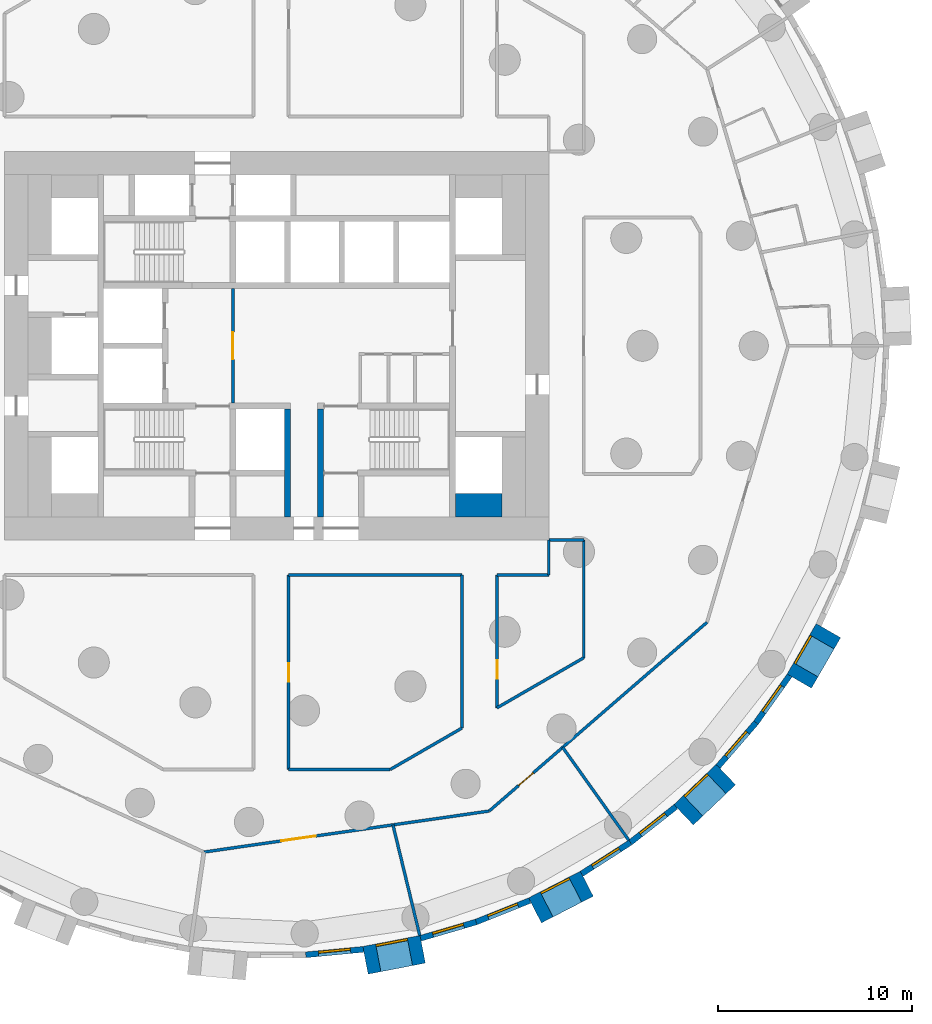
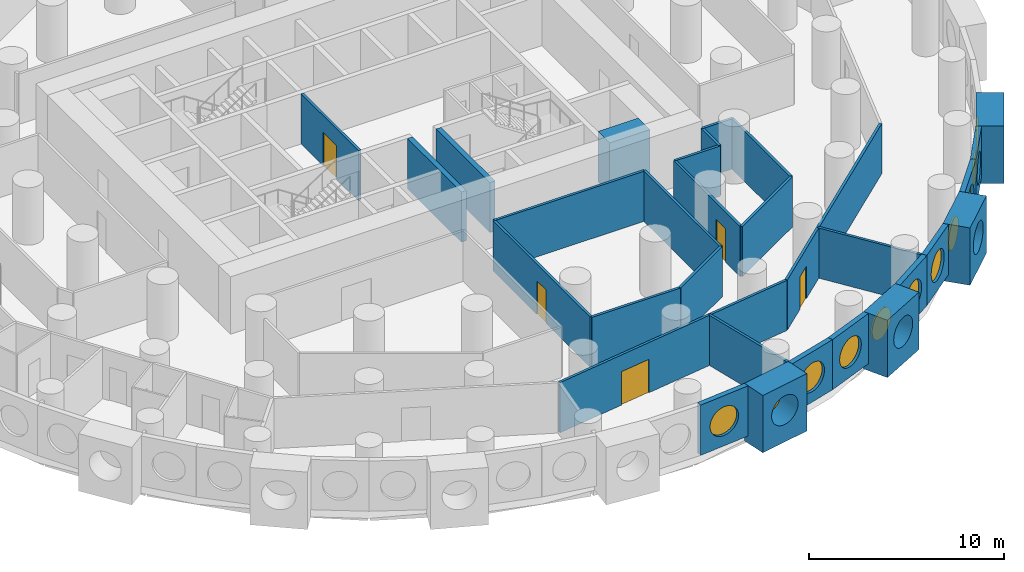
# One storey, part 5 of 12: 30 walls, 11 windows, 5 doors, 16 openings.
"""IFC4 building model written with IfcOpenShell, lengths in metres."""

from ifc_helpers import new_model, si_unit, direction, frame, frame_2d, origin, origin_2d, place, context, subcontext, project, spatial, rectangle, circle, extrude, material, layer, layer_set, type_object, element, fill, save


model = new_model("IFC4")

# Units and contexts
model_context = context("Model", 3, precision=1e-05, world=origin(), true_north=direction((0.0, 1.0)))
body_context = subcontext(model_context, "Body", "Model", "MODEL_VIEW")
ifc_project = project(units=[si_unit("LENGTHUNIT", "METRE"), si_unit("AREAUNIT", "SQUARE_METRE"), si_unit("VOLUMEUNIT", "CUBIC_METRE"), si_unit("PLANEANGLEUNIT", "RADIAN"), si_unit("MASSUNIT", "GRAM", prefix="KILO")], contexts=[model_context])

# Site, building, storey
site_placement = place(None, origin())
site = spatial("IfcSite", under=ifc_project, at=site_placement, CompositionType="ELEMENT")
building_placement = place(site_placement, origin())
building = spatial("IfcBuilding", under=site, at=building_placement, Name="Tracery Tower", CompositionType="ELEMENT")
storey_placement = place(building_placement, frame((0.0, 0.0, 31.800048828125)))
storey = spatial("IfcBuildingStorey", under=building, at=storey_placement, Name="L06", CompositionType="ELEMENT", Elevation=31.800048828125)

# Wall, opening, door
ifc_material_1 = material(Name="Plasterboard on steel studs", Category="steel")
ifc_layer_1 = layer(ifc_material_1, 0.14990234375)
ifc_layer_set_1 = layer_set([ifc_layer_1], Name="Core lobby partition 150")
wall_type_1 = type_object("IfcWallType", Name="Core lobby partition 150", PredefinedType="SOLIDWALL", material=ifc_layer_set_1)
wall_1_placement = place(storey_placement, frame((-2.25, -2.949951171875, 0.0), z_axis=(0.0, 0.0, 1.0), x_axis=(0.0, 1.0, 0.0)))
wall_1 = element("IfcWall", 1, at=wall_1_placement, inside=storey, type_object=wall_type_1, Name="L06 FF lobby E", PredefinedType="SOLIDWALL", context=body_context, shape_type="SweptSolid", body=[
    extrude(rectangle(XDim=5.89990234375, YDim=0.14990234375, at=frame_2d((2.949951171875, 0.0))), origin(), (0.0, 0.0, 1.0), 3.14990234375),
])
opening_1_placement = place(wall_1_placement, frame((2.25, 0.0, 0.0)))
opening_1 = element("IfcOpeningElement", 2, at=opening_1_placement, cuts=wall_1, Name="Opening KD8", PredefinedType="OPENING", context=body_context, shape_type="SweptSolid", body=[
    extrude(rectangle(XDim=1.39990234375, YDim=2.10009765625, at=frame_2d((0.699951171875, 1.050048828125))), frame((0.0, 0.074951171875, 0.0), z_axis=(0.0, -1.0, 0.0), x_axis=(1.0, 0.0, 0.0)), (0.0, 0.0, 1.0), 0.14990234375),
])
ifc_material_2 = material(Name="Steel fire door", Category="steel")
door_type_1 = type_object("IfcDoorType", Name="Core lobby door 1400 double", OperationType="NOTDEFINED", PredefinedType="DOOR", material=ifc_material_2)
door_1_placement = place(opening_1_placement, origin())
door_1 = element("IfcDoor", 3, at=door_1_placement, inside=storey, type_object=door_type_1, Name="Fire-fighting lobby door", OperationType="DOUBLE_DOOR_SINGLE_SWING", OverallHeight=2.10009765625, OverallWidth=1.39990234375, PredefinedType="DOOR", context=body_context, shape_type="SweptSolid", body=[
    extrude(rectangle(XDim=1.39990234375, YDim=2.10009765625, at=frame_2d((0.699951171875, 1.050048828125))), frame((0.0, 0.02490234375, 0.0), z_axis=(0.0, -1.0, 0.0), x_axis=(1.0, 0.0, 0.0)), (0.0, 0.0, 1.0), 0.050048828125),
])
fill(opening_1, door_1)

# Wall
ifc_material_3 = material(Name="Concrete C60/75", Category="concrete")
ifc_layer_2 = layer(ifc_material_3, 1.199951171875)
ifc_layer_set_2 = layer_set([ifc_layer_2], Name="Core strip wall 1200 C60")
wall_type_2 = type_object("IfcWallType", Name="Core strip wall 1200 C60", PredefinedType="SOLIDWALL", material=ifc_layer_set_2)
wall_2_placement = place(storey_placement, frame((9.199951171875, -8.199951171875, 0.0), z_axis=(0.0, 0.0, 1.0), x_axis=(1.0, 0.0, 0.0)))
element("IfcWall", 4, at=wall_2_placement, inside=storey, type_object=wall_type_2, Name="L06 wing corner +1 -8.2", PredefinedType="SOLIDWALL", context=body_context, shape_type="SweptSolid", body=[
    extrude(rectangle(XDim=2.400146484375, YDim=1.199951171875, at=frame_2d((1.2001953125, 0.0))), origin(), (0.0, 0.0, 1.0), 3.14990234375),
])

# Wall, opening, window
ifc_material_4 = material(Name="Precast concrete C50/60", Category="concrete")
ifc_layer_3 = layer(ifc_material_4, 1.449951171875)
ifc_layer_set_3 = layer_set([ifc_layer_3], Name="Deep-set bay unit 3000 x 3600, slab edge 450")
wall_type_3 = type_object("IfcWallType", Name="Deep-set bay unit 3000 x 3600, slab edge 450", PredefinedType="ELEMENTEDWALL", material=ifc_layer_set_3)
wall_3_placement = place(storey_placement, frame((4.56689453125, -31.62109375, -0.449951171875), z_axis=(0.0, 0.0, 1.0), x_axis=(0.981921602273, 0.189288052949, 0.0)))
wall_3 = element("IfcWall", 5, at=wall_3_placement, inside=storey, type_object=wall_type_3, Name="Deep-set bay unit 52 at L06", PredefinedType="ELEMENTEDWALL", context=body_context, shape_type="SweptSolid", body=[
    extrude(rectangle(XDim=3.0, YDim=1.449951171875, at=frame_2d((1.5, 0.0))), origin(), (0.0, 0.0, 1.0), 3.599853515625),
])
opening_2_placement = place(wall_3_placement, frame((1.5, 0.0, 2.0)))
opening_2 = element("IfcOpeningElement", 6, at=opening_2_placement, cuts=wall_3, Name="Opening WN1", PredefinedType="OPENING", context=body_context, shape_type="SweptSolid", body=[
    extrude(circle(Radius=0.9000244140625, at=origin_2d()), frame((0.0, 0.73486328125, 0.0), z_axis=(0.0, -1.0, 0.0), x_axis=(1.0, 0.0, 0.0)), (0.0, 0.0, 1.0), 1.469970703125),
])
ifc_material_5 = material(Name="Aluminium frame with tinted double glazing", Category="aluminium")
window_type = type_object("IfcWindowType", Name="Round window 1800", PartitioningType="SINGLE_PANEL", PredefinedType="WINDOW", material=ifc_material_5)
window_1_placement = place(opening_2_placement, origin())
window_1 = element("IfcWindow", 7, at=window_1_placement, inside=storey, type_object=window_type, Name="Round window 52 at L06", OverallHeight=1.800048828125, OverallWidth=1.800048828125, PartitioningType="SINGLE_PANEL", PredefinedType="WINDOW", context=body_context, shape_type="SweptSolid", body=[
    extrude(circle(Radius=0.9000244140625, at=origin_2d()), frame((0.0, 0.69482421875, 0.0), z_axis=(0.0, -1.0, 0.0), x_axis=(1.0, 0.0, 0.0)), (0.0, 0.0, 1.0), 0.10009765625),
])
fill(opening_2, window_1)

wall_4_placement = place(storey_placement, frame((13.29052734375, -29.053466796875, -0.449951171875), z_axis=(0.0, 0.0, 1.0), x_axis=(0.888858064689, 0.458182650083, 0.0)))
wall_4 = element("IfcWall", 8, at=wall_4_placement, inside=storey, type_object=wall_type_3, Name="Deep-set bay unit 55 at L06", PredefinedType="ELEMENTEDWALL", context=body_context, shape_type="SweptSolid", body=[
    extrude(rectangle(XDim=3.0, YDim=1.449951171875, at=frame_2d((1.5, 0.0))), origin(), (0.0, 0.0, 1.0), 3.599853515625),
])
opening_3_placement = place(wall_4_placement, frame((1.5, 0.0, 2.0)))
opening_3 = element("IfcOpeningElement", 9, at=opening_3_placement, cuts=wall_4, Name="Opening WN1", PredefinedType="OPENING", context=body_context, shape_type="SweptSolid", body=[
    extrude(circle(Radius=0.9000244140625, at=origin_2d()), frame((0.0, 0.73486328125, 0.0), z_axis=(0.0, -1.0, 0.0), x_axis=(1.0, 0.0, 0.0)), (0.0, 0.0, 1.0), 1.469970703125),
])
window_2_placement = place(opening_3_placement, origin())
window_2 = element("IfcWindow", 10, at=window_2_placement, inside=storey, type_object=window_type, Name="Round window 55 at L06", OverallHeight=1.800048828125, OverallWidth=1.800048828125, PartitioningType="SINGLE_PANEL", PredefinedType="WINDOW", context=body_context, shape_type="SweptSolid", body=[
    extrude(circle(Radius=0.9000244140625, at=origin_2d()), frame((0.0, 0.69482421875, 0.0), z_axis=(0.0, -1.0, 0.0), x_axis=(1.0, 0.0, 0.0)), (0.0, 0.0, 1.0), 0.10009765625),
])
fill(opening_3, window_2)

wall_5_placement = place(storey_placement, frame((20.9375, -24.13232421875, -0.449951171875), z_axis=(0.0, 0.0, 1.0), x_axis=(0.723712023899, 0.690102098579, 0.0)))
wall_5 = element("IfcWall", 11, at=wall_5_placement, inside=storey, type_object=wall_type_3, Name="Deep-set bay unit 58 at L06", PredefinedType="ELEMENTEDWALL", context=body_context, shape_type="SweptSolid", body=[
    extrude(rectangle(XDim=3.0, YDim=1.449951171875, at=frame_2d((1.5, 0.0))), origin(), (0.0, 0.0, 1.0), 3.599853515625),
])
opening_4_placement = place(wall_5_placement, frame((1.5, 0.0, 2.0)))
opening_4 = element("IfcOpeningElement", 12, at=opening_4_placement, cuts=wall_5, Name="Opening WN1", PredefinedType="OPENING", context=body_context, shape_type="SweptSolid", body=[
    extrude(circle(Radius=0.9000244140625, at=origin_2d()), frame((0.0, 0.73486328125, 0.0), z_axis=(0.0, -1.0, 0.0), x_axis=(1.0, 0.0, 0.0)), (0.0, 0.0, 1.0), 1.469970703125),
])
window_3_placement = place(opening_4_placement, origin())
window_3 = element("IfcWindow", 13, at=window_3_placement, inside=storey, type_object=window_type, Name="Round window 58 at L06", OverallHeight=1.800048828125, OverallWidth=1.800048828125, PartitioningType="SINGLE_PANEL", PredefinedType="WINDOW", context=body_context, shape_type="SweptSolid", body=[
    extrude(circle(Radius=0.9000244140625, at=origin_2d()), frame((0.0, 0.69482421875, 0.0), z_axis=(0.0, -1.0, 0.0), x_axis=(1.0, 0.0, 0.0)), (0.0, 0.0, 1.0), 0.10009765625),
])
fill(opening_4, window_3)

wall_6_placement = place(storey_placement, frame((26.88818359375, -17.256103515625, -0.449951171875), z_axis=(0.0, 0.0, 1.0), x_axis=(0.499990139034, 0.866031096941, 0.0)))
wall_6 = element("IfcWall", 14, at=wall_6_placement, inside=storey, type_object=wall_type_3, Name="Deep-set bay unit 61 at L06", PredefinedType="ELEMENTEDWALL", context=body_context, shape_type="SweptSolid", body=[
    extrude(rectangle(XDim=3.0, YDim=1.449951171875, at=frame_2d((1.5, 0.0))), origin(), (0.0, 0.0, 1.0), 3.599853515625),
])
opening_5_placement = place(wall_6_placement, frame((1.5, 0.0, 2.0)))
opening_5 = element("IfcOpeningElement", 15, at=opening_5_placement, cuts=wall_6, Name="Opening WN1", PredefinedType="OPENING", context=body_context, shape_type="SweptSolid", body=[
    extrude(circle(Radius=0.9000244140625, at=origin_2d()), frame((0.0, 0.73486328125, 0.0), z_axis=(0.0, -1.0, 0.0), x_axis=(1.0, 0.0, 0.0)), (0.0, 0.0, 1.0), 1.469970703125),
])
window_4_placement = place(opening_5_placement, origin())
window_4 = element("IfcWindow", 16, at=window_4_placement, inside=storey, type_object=window_type, Name="Round window 61 at L06", OverallHeight=1.800048828125, OverallWidth=1.800048828125, PartitioningType="SINGLE_PANEL", PredefinedType="WINDOW", context=body_context, shape_type="SweptSolid", body=[
    extrude(circle(Radius=0.9000244140625, at=origin_2d()), frame((0.0, 0.69482421875, 0.0), z_axis=(0.0, -1.0, 0.0), x_axis=(1.0, 0.0, 0.0)), (0.0, 0.0, 1.0), 0.10009765625),
])
fill(opening_5, window_4)

ifc_material_6 = material(Name="Precast concrete C50/60", Category="concrete")
ifc_layer_4 = layer(ifc_material_6, 0.300048828125)
ifc_layer_set_4 = layer_set([ifc_layer_4], Name="Facade panel 3000 x 3150")
wall_type_4 = type_object("IfcWallType", Name="Facade panel 3000 x 3150", PredefinedType="SOLIDWALL", material=ifc_layer_set_4)
wall_7_placement = place(storey_placement, frame((1.492919921875, -31.3388671875, 0.0), z_axis=(0.0, 0.0, 1.0), x_axis=(0.995472611385, 0.095048829468, 0.0)))
wall_7 = element("IfcWall", 17, at=wall_7_placement, inside=storey, type_object=wall_type_4, Name="Facade panel 51 at L06", PredefinedType="SOLIDWALL", context=body_context, shape_type="SweptSolid", body=[
    extrude(rectangle(XDim=2.9794921875, YDim=0.300048828125, at=frame_2d((1.48974609375, 0.0))), origin(), (0.0, 0.0, 1.0), 3.14990234375),
])
opening_6_placement = place(wall_7_placement, frame((1.48974609375, 0.0, 1.5498046875)))
opening_6 = element("IfcOpeningElement", 18, at=opening_6_placement, cuts=wall_7, Name="Opening WN1", PredefinedType="OPENING", context=body_context, shape_type="SweptSolid", body=[
    extrude(circle(Radius=0.9000244140625, at=origin_2d()), frame((0.0, 0.159912109375, 0.0), z_axis=(0.0, -1.0, 0.0), x_axis=(1.0, 0.0, 0.0)), (0.0, 0.0, 1.0), 0.320068359375),
])
window_5_placement = place(opening_6_placement, origin())
window_5 = element("IfcWindow", 19, at=window_5_placement, inside=storey, type_object=window_type, Name="Round window 51 at L06", OverallHeight=1.800048828125, OverallWidth=1.800048828125, PartitioningType="SINGLE_PANEL", PredefinedType="WINDOW", context=body_context, shape_type="SweptSolid", body=[
    extrude(circle(Radius=0.9000244140625, at=origin_2d()), frame((0.0, 0.1201171875, 0.0), z_axis=(0.0, -1.0, 0.0), x_axis=(1.0, 0.0, 0.0)), (0.0, 0.0, 1.0), 0.10009765625),
])
fill(opening_6, window_5)

wall_8_placement = place(storey_placement, frame((7.402587890625, -30.48828125, 0.0), z_axis=(0.0, 0.0, 1.0), x_axis=(0.959501085144, 0.281704930036, 0.0)))
wall_8 = element("IfcWall", 20, at=wall_8_placement, inside=storey, type_object=wall_type_4, Name="Facade panel 53 at L06", PredefinedType="SOLIDWALL", context=body_context, shape_type="SweptSolid", body=[
    extrude(rectangle(XDim=2.9794921875, YDim=0.300048828125, at=frame_2d((1.48974609375, 0.0))), origin(), (0.0, 0.0, 1.0), 3.14990234375),
])
opening_7_placement = place(wall_8_placement, frame((1.48974609375, 0.0, 1.5498046875)))
opening_7 = element("IfcOpeningElement", 21, at=opening_7_placement, cuts=wall_8, Name="Opening WN1", PredefinedType="OPENING", context=body_context, shape_type="SweptSolid", body=[
    extrude(circle(Radius=0.9000244140625, at=origin_2d()), frame((0.0, 0.159912109375, 0.0), z_axis=(0.0, -1.0, 0.0), x_axis=(1.0, 0.0, 0.0)), (0.0, 0.0, 1.0), 0.320068359375),
])
window_6_placement = place(opening_7_placement, origin())
window_6 = element("IfcWindow", 22, at=window_6_placement, inside=storey, type_object=window_type, Name="Round window 53 at L06", OverallHeight=1.800048828125, OverallWidth=1.800048828125, PartitioningType="SINGLE_PANEL", PredefinedType="WINDOW", context=body_context, shape_type="SweptSolid", body=[
    extrude(circle(Radius=0.9000244140625, at=origin_2d()), frame((0.0, 0.1201171875, 0.0), z_axis=(0.0, -1.0, 0.0), x_axis=(1.0, 0.0, 0.0)), (0.0, 0.0, 1.0), 0.10009765625),
])
fill(opening_7, window_6)

wall_9_placement = place(storey_placement, frame((10.261474609375, -29.64892578125, 0.0), z_axis=(0.0, 0.0, 1.0), x_axis=(0.928374947, 0.371644935098, 0.0)))
wall_9 = element("IfcWall", 23, at=wall_9_placement, inside=storey, type_object=wall_type_4, Name="Facade panel 54 at L06", PredefinedType="SOLIDWALL", context=body_context, shape_type="SweptSolid", body=[
    extrude(rectangle(XDim=2.979736328125, YDim=0.300048828125, at=frame_2d((1.48974609375, 0.0))), origin(), (0.0, 0.0, 1.0), 3.14990234375),
])
opening_8_placement = place(wall_9_placement, frame((1.48974609375, 0.0, 1.5498046875)))
opening_8 = element("IfcOpeningElement", 24, at=opening_8_placement, cuts=wall_9, Name="Opening WN1", PredefinedType="OPENING", context=body_context, shape_type="SweptSolid", body=[
    extrude(circle(Radius=0.9000244140625, at=origin_2d()), frame((0.0, 0.159912109375, 0.0), z_axis=(0.0, -1.0, 0.0), x_axis=(1.0, 0.0, 0.0)), (0.0, 0.0, 1.0), 0.320068359375),
])
window_7_placement = place(opening_8_placement, origin())
window_7 = element("IfcWindow", 25, at=window_7_placement, inside=storey, type_object=window_type, Name="Round window 54 at L06", OverallHeight=1.800048828125, OverallWidth=1.800048828125, PartitioningType="SINGLE_PANEL", PredefinedType="WINDOW", context=body_context, shape_type="SweptSolid", body=[
    extrude(circle(Radius=0.9000244140625, at=origin_2d()), frame((0.0, 0.1201171875, 0.0), z_axis=(0.0, -1.0, 0.0), x_axis=(1.0, 0.0, 0.0)), (0.0, 0.0, 1.0), 0.10009765625),
])
fill(opening_8, window_7)

wall_10_placement = place(storey_placement, frame((15.6923828125, -27.167724609375, 0.0), z_axis=(0.0, 0.0, 1.0), x_axis=(0.841260995538, 0.54062920508, 0.0)))
wall_10 = element("IfcWall", 26, at=wall_10_placement, inside=storey, type_object=wall_type_4, Name="Facade panel 56 at L06", PredefinedType="SOLIDWALL", context=body_context, shape_type="SweptSolid", body=[
    extrude(rectangle(XDim=2.9794921875, YDim=0.300048828125, at=frame_2d((1.48974609375, 0.0))), origin(), (0.0, 0.0, 1.0), 3.14990234375),
])
opening_9_placement = place(wall_10_placement, frame((1.48974609375, 0.0, 1.5498046875)))
opening_9 = element("IfcOpeningElement", 27, at=opening_9_placement, cuts=wall_10, Name="Opening WN1", PredefinedType="OPENING", context=body_context, shape_type="SweptSolid", body=[
    extrude(circle(Radius=0.9000244140625, at=origin_2d()), frame((0.0, 0.159912109375, 0.0), z_axis=(0.0, -1.0, 0.0), x_axis=(1.0, 0.0, 0.0)), (0.0, 0.0, 1.0), 0.320068359375),
])
window_8_placement = place(opening_9_placement, origin())
window_8 = element("IfcWindow", 28, at=window_8_placement, inside=storey, type_object=window_type, Name="Round window 56 at L06", OverallHeight=1.800048828125, OverallWidth=1.800048828125, PartitioningType="SINGLE_PANEL", PredefinedType="WINDOW", context=body_context, shape_type="SweptSolid", body=[
    extrude(circle(Radius=0.9000244140625, at=origin_2d()), frame((0.0, 0.1201171875, 0.0), z_axis=(0.0, -1.0, 0.0), x_axis=(1.0, 0.0, 0.0)), (0.0, 0.0, 1.0), 0.10009765625),
])
fill(opening_9, window_8)

wall_11_placement = place(storey_placement, frame((18.198974609375, -25.556884765625, 0.0), z_axis=(0.0, 0.0, 1.0), x_axis=(0.786053834673, 0.618158045322, 0.0)))
wall_11 = element("IfcWall", 29, at=wall_11_placement, inside=storey, type_object=wall_type_4, Name="Facade panel 57 at L06", PredefinedType="SOLIDWALL", context=body_context, shape_type="SweptSolid", body=[
    extrude(rectangle(XDim=2.9794921875, YDim=0.300048828125, at=frame_2d((1.48974609375, 0.0))), origin(), (0.0, 0.0, 1.0), 3.14990234375),
])
opening_10_placement = place(wall_11_placement, frame((1.48974609375, 0.0, 1.5498046875)))
opening_10 = element("IfcOpeningElement", 30, at=opening_10_placement, cuts=wall_11, Name="Opening WN1", PredefinedType="OPENING", context=body_context, shape_type="SweptSolid", body=[
    extrude(circle(Radius=0.9000244140625, at=origin_2d()), frame((0.0, 0.159912109375, 0.0), z_axis=(0.0, -1.0, 0.0), x_axis=(1.0, 0.0, 0.0)), (0.0, 0.0, 1.0), 0.320068359375),
])
window_9_placement = place(opening_10_placement, origin())
window_9 = element("IfcWindow", 31, at=window_9_placement, inside=storey, type_object=window_type, Name="Round window 57 at L06", OverallHeight=1.800048828125, OverallWidth=1.800048828125, PartitioningType="SINGLE_PANEL", PredefinedType="WINDOW", context=body_context, shape_type="SweptSolid", body=[
    extrude(circle(Radius=0.9000244140625, at=origin_2d()), frame((0.0, 0.1201171875, 0.0), z_axis=(0.0, -1.0, 0.0), x_axis=(1.0, 0.0, 0.0)), (0.0, 0.0, 1.0), 0.10009765625),
])
fill(opening_10, window_9)

wall_12_placement = place(storey_placement, frame((22.710693359375, -21.646240234375, 0.0), z_axis=(0.0, 0.0, 1.0), x_axis=(0.654830712471, 0.755775587066, 0.0)))
wall_12 = element("IfcWall", 32, at=wall_12_placement, inside=storey, type_object=wall_type_4, Name="Facade panel 59 at L06", PredefinedType="SOLIDWALL", context=body_context, shape_type="SweptSolid", body=[
    extrude(rectangle(XDim=2.979736328125, YDim=0.300048828125, at=frame_2d((1.48974609375, 0.0))), origin(), (0.0, 0.0, 1.0), 3.14990234375),
])
opening_11_placement = place(wall_12_placement, frame((1.48974609375, 0.0, 1.5498046875)))
opening_11 = element("IfcOpeningElement", 33, at=opening_11_placement, cuts=wall_12, Name="Opening WN1", PredefinedType="OPENING", context=body_context, shape_type="SweptSolid", body=[
    extrude(circle(Radius=0.9000244140625, at=origin_2d()), frame((0.0, 0.159912109375, 0.0), z_axis=(0.0, -1.0, 0.0), x_axis=(1.0, 0.0, 0.0)), (0.0, 0.0, 1.0), 0.320068359375),
])
window_10_placement = place(opening_11_placement, origin())
window_10 = element("IfcWindow", 34, at=window_10_placement, inside=storey, type_object=window_type, Name="Round window 59 at L06", OverallHeight=1.800048828125, OverallWidth=1.800048828125, PartitioningType="SINGLE_PANEL", PredefinedType="WINDOW", context=body_context, shape_type="SweptSolid", body=[
    extrude(circle(Radius=0.9000244140625, at=origin_2d()), frame((0.0, 0.1201171875, 0.0), z_axis=(0.0, -1.0, 0.0), x_axis=(1.0, 0.0, 0.0)), (0.0, 0.0, 1.0), 0.10009765625),
])
fill(opening_11, window_10)

wall_13_placement = place(storey_placement, frame((24.661865234375, -19.394287109375, 0.0), z_axis=(0.0, 0.0, 1.0), x_axis=(0.580113774115, 0.814535456, 0.0)))
wall_13 = element("IfcWall", 35, at=wall_13_placement, inside=storey, type_object=wall_type_4, Name="Facade panel 60 at L06", PredefinedType="SOLIDWALL", context=body_context, shape_type="SweptSolid", body=[
    extrude(rectangle(XDim=2.979736328125, YDim=0.300048828125, at=frame_2d((1.48974609375, 0.0))), origin(), (0.0, 0.0, 1.0), 3.14990234375),
])
opening_12_placement = place(wall_13_placement, frame((1.48974609375, 0.0, 1.5498046875)))
opening_12 = element("IfcOpeningElement", 36, at=opening_12_placement, cuts=wall_13, Name="Opening WN1", PredefinedType="OPENING", context=body_context, shape_type="SweptSolid", body=[
    extrude(circle(Radius=0.9000244140625, at=origin_2d()), frame((0.0, 0.159912109375, 0.0), z_axis=(0.0, -1.0, 0.0), x_axis=(1.0, 0.0, 0.0)), (0.0, 0.0, 1.0), 0.320068359375),
])
window_11_placement = place(opening_12_placement, origin())
window_11 = element("IfcWindow", 37, at=window_11_placement, inside=storey, type_object=window_type, Name="Round window 60 at L06", OverallHeight=1.800048828125, OverallWidth=1.800048828125, PartitioningType="SINGLE_PANEL", PredefinedType="WINDOW", context=body_context, shape_type="SweptSolid", body=[
    extrude(circle(Radius=0.9000244140625, at=origin_2d()), frame((0.0, 0.1201171875, 0.0), z_axis=(0.0, -1.0, 0.0), x_axis=(1.0, 0.0, 0.0)), (0.0, 0.0, 1.0), 0.10009765625),
])
fill(opening_12, window_11)

# Walls
ifc_material_7 = material(Name="Plasterboard on steel studs", Category="steel")
ifc_layer_5 = layer(ifc_material_7, 0.14990234375)
ifc_layer_set_5 = layer_set([ifc_layer_5], Name="Partition 150 acoustic unit wall")
wall_type_5 = type_object("IfcWallType", Name="Partition 150 acoustic unit wall", PredefinedType="PARTITIONING", material=ifc_layer_set_5)
wall_14_placement = place(storey_placement, frame((5.98095703125, -24.652099609375, 0.0), z_axis=(0.0, 0.0, 1.0), x_axis=(0.235644168604, -0.971839403298, 0.0)))
element("IfcWall", 38, at=wall_14_placement, inside=storey, type_object=wall_type_5, Name="Unit wall RA1-113", PredefinedType="PARTITIONING", context=body_context, shape_type="SweptSolid", body=[
    extrude(rectangle(XDim=5.85693359375, YDim=0.14990234375, at=frame_2d((2.928466796875, 0.0))), origin(), (0.0, 0.0, 1.0), 3.14990234375),
])
wall_15_placement = place(storey_placement, frame((14.715087890625, -20.6640625, 0.0), z_axis=(0.0, 0.0, 1.0), x_axis=(0.580007254017, -0.814611309329, 0.0)))
element("IfcWall", 39, at=wall_15_placement, inside=storey, type_object=wall_type_5, Name="Unit wall RA1-114", PredefinedType="PARTITIONING", context=body_context, shape_type="SweptSolid", body=[
    extrude(rectangle(XDim=5.856689453125, YDim=0.14990234375, at=frame_2d((2.92822265625, 0.0))), origin(), (0.0, 0.0, 1.0), 3.14990234375),
])
ifc_material_8 = material(Name="Plasterboard on steel studs", Category="steel")
ifc_layer_6 = layer(ifc_material_8, 0.14990234375)
ifc_layer_set_6 = layer_set([ifc_layer_6], Name="Partition 150 corridor wall")
wall_type_6 = type_object("IfcWallType", Name="Partition 150 corridor wall", PredefinedType="PARTITIONING", material=ifc_layer_set_6)
wall_16_placement = place(storey_placement, frame((0.60400390625, -11.800048828125, 0.0), z_axis=(0.0, 0.0, 1.0), x_axis=(1.0, 0.0, 0.0)))
element("IfcWall", 40, at=wall_16_placement, inside=storey, type_object=wall_type_6, Name="Corridor wall RA1-006", PredefinedType="PARTITIONING", context=body_context, shape_type="SweptSolid", body=[
    extrude(rectangle(XDim=8.93603515625, YDim=0.14990234375, at=frame_2d((4.468017578125, 0.0))), origin(), (0.0, 0.0, 1.0), 3.14990234375),
])
wall_17_placement = place(storey_placement, frame((14.0, -11.800048828125, 0.0), z_axis=(0.0, 0.0, 1.0), x_axis=(0.0, 1.0, 0.0)))
element("IfcWall", 41, at=wall_17_placement, inside=storey, type_object=wall_type_6, Name="Corridor wall RA1-007", PredefinedType="PARTITIONING", context=body_context, shape_type="SweptSolid", body=[
    extrude(rectangle(XDim=1.800048828125, YDim=0.14990234375, at=frame_2d((0.89990234375, 0.0))), origin(), (0.0, 0.0, 1.0), 3.14990234375),
])
wall_18_placement = place(storey_placement, frame((11.33203125, -11.800048828125, 0.0), z_axis=(0.0, 0.0, 1.0), x_axis=(1.0, 0.0, 0.0)))
element("IfcWall", 42, at=wall_18_placement, inside=storey, type_object=wall_type_6, Name="Corridor wall RA1-008", PredefinedType="PARTITIONING", context=body_context, shape_type="SweptSolid", body=[
    extrude(rectangle(XDim=2.66796875, YDim=0.14990234375, at=frame_2d((1.333984375, 0.0))), origin(), (0.0, 0.0, 1.0), 3.14990234375),
])
wall_19_placement = place(storey_placement, frame((14.0, -10.0, 0.0), z_axis=(0.0, 0.0, 1.0), x_axis=(1.0, 0.0, 0.0)))
element("IfcWall", 43, at=wall_19_placement, inside=storey, type_object=wall_type_6, Name="Corridor wall RA1-010", PredefinedType="PARTITIONING", context=body_context, shape_type="SweptSolid", body=[
    extrude(rectangle(XDim=1.800048828125, YDim=0.14990234375, at=frame_2d((0.89990234375, 0.0))), origin(), (0.0, 0.0, 1.0), 3.14990234375),
])
wall_20_placement = place(storey_placement, frame((15.800048828125, -16.052978515625, 0.0), z_axis=(0.0, 0.0, 1.0), x_axis=(0.0, 1.0, 0.0)))
element("IfcWall", 44, at=wall_20_placement, inside=storey, type_object=wall_type_6, Name="Corridor wall RA1-014", PredefinedType="PARTITIONING", context=body_context, shape_type="SweptSolid", body=[
    extrude(rectangle(XDim=6.056884765625, YDim=0.14990234375, at=frame_2d((3.0283203125, 0.0))), origin(), (0.0, 0.0, 1.0), 3.14990234375),
])

# Wall, opening, door
wall_21_placement = place(storey_placement, frame((10.93310546875, -23.940185546875, 0.0), z_axis=(0.0, 0.0, 1.0), x_axis=(0.755770011705, 0.654837147242, 0.0)))
wall_21 = element("IfcWall", 45, at=wall_21_placement, inside=storey, type_object=wall_type_6, Name="Corridor wall RA1-023", PredefinedType="PARTITIONING", context=body_context, shape_type="SweptSolid", body=[
    extrude(rectangle(XDim=14.829833984375, YDim=0.14990234375, at=frame_2d((7.4150390625, 0.0))), origin(), (0.0, 0.0, 1.0), 3.14990234375),
])
opening_13_placement = place(wall_21_placement, frame((2.0029296875, 0.0, 0.0)))
opening_13 = element("IfcOpeningElement", 46, at=opening_13_placement, cuts=wall_21, Name="Opening RA1-47", PredefinedType="OPENING", context=body_context, shape_type="SweptSolid", body=[
    extrude(rectangle(XDim=1.0, YDim=2.0400390625, at=frame_2d((0.5, 1.02001953125))), frame((0.0, 0.074951171875, 0.0), z_axis=(0.0, -1.0, 0.0), x_axis=(1.0, 0.0, 0.0)), (0.0, 0.0, 1.0), 0.14990234375),
])
ifc_material_9 = material(Name="Timber door leaf", Category="wood")
door_type_2 = type_object("IfcDoorType", Name="Door communal room 1000", OperationType="NOTDEFINED", PredefinedType="DOOR", material=ifc_material_9)
door_2_placement = place(opening_13_placement, origin())
door_2 = element("IfcDoor", 47, at=door_2_placement, inside=storey, type_object=door_type_2, Name="Communal room door RA1-47", OperationType="SINGLE_SWING_RIGHT", OverallHeight=2.0400390625, OverallWidth=1.0, PredefinedType="DOOR", context=body_context, shape_type="SweptSolid", body=[
    extrude(rectangle(XDim=1.0, YDim=2.0400390625, at=frame_2d((0.5, 1.02001953125))), frame((0.0, 0.02490234375, 0.0), z_axis=(0.0, -1.0, 0.0), x_axis=(1.0, 0.0, 0.0)), (0.0, 0.0, 1.0), 0.050048828125),
])
fill(opening_13, door_2)

wall_22_placement = place(storey_placement, frame((0.60791015625, -21.802001953125, 0.0), z_axis=(0.0, 0.0, 1.0), x_axis=(0.0, 1.0, 0.0)))
wall_22 = element("IfcWall", 48, at=wall_22_placement, inside=storey, type_object=wall_type_6, Name="Corridor wall RA1-049", PredefinedType="PARTITIONING", context=body_context, shape_type="SweptSolid", body=[
    extrude(rectangle(XDim=10.001953125, YDim=0.14990234375, at=frame_2d((5.0009765625, 0.0))), origin(), (0.0, 0.0, 1.0), 3.14990234375),
])
opening_14_placement = place(wall_22_placement, frame((4.52587890625, 0.0, 0.0)))
opening_14 = element("IfcOpeningElement", 49, at=opening_14_placement, cuts=wall_22, Name="Opening RA1-05", PredefinedType="OPENING", context=body_context, shape_type="SweptSolid", body=[
    extrude(rectangle(XDim=0.949951171875, YDim=2.10009765625, at=frame_2d((0.47509765625, 1.050048828125))), frame((0.0, 0.074951171875, 0.0), z_axis=(0.0, -1.0, 0.0), x_axis=(1.0, 0.0, 0.0)), (0.0, 0.0, 1.0), 0.14990234375),
])
ifc_material_10 = material(Name="Timber door leaf", Category="wood")
door_type_3 = type_object("IfcDoorType", Name="Door store 950", OperationType="NOTDEFINED", PredefinedType="DOOR", material=ifc_material_10)
door_3_placement = place(opening_14_placement, origin())
door_3 = element("IfcDoor", 50, at=door_3_placement, inside=storey, type_object=door_type_3, Name="Store door RA1-05", OperationType="SINGLE_SWING_RIGHT", OverallHeight=2.10009765625, OverallWidth=0.949951171875, PredefinedType="DOOR", context=body_context, shape_type="SweptSolid", body=[
    extrude(rectangle(XDim=0.949951171875, YDim=2.10009765625, at=frame_2d((0.47509765625, 1.050048828125))), frame((0.0, 0.02490234375, 0.0), z_axis=(0.0, -1.0, 0.0), x_axis=(1.0, 0.0, 0.0)), (0.0, 0.0, 1.0), 0.050048828125),
])
fill(opening_14, door_3)

# Walls
wall_23_placement = place(storey_placement, frame((0.60791015625, -21.802001953125, 0.0), z_axis=(0.0, 0.0, 1.0), x_axis=(1.0, 0.0, 0.0)))
element("IfcWall", 51, at=wall_23_placement, inside=storey, type_object=wall_type_6, Name="Corridor wall RA1-050", PredefinedType="PARTITIONING", context=body_context, shape_type="SweptSolid", body=[
    extrude(rectangle(XDim=5.234130859375, YDim=0.14990234375, at=frame_2d((2.6171875, 0.0))), origin(), (0.0, 0.0, 1.0), 3.14990234375),
])
wall_24_placement = place(storey_placement, frame((5.842041015625, -21.802001953125, 0.0), z_axis=(0.0, 0.0, 1.0), x_axis=(0.865983505205, 0.500072563448, 0.0)))
element("IfcWall", 52, at=wall_24_placement, inside=storey, type_object=wall_type_6, Name="Corridor wall RA1-051", PredefinedType="PARTITIONING", context=body_context, shape_type="SweptSolid", body=[
    extrude(rectangle(XDim=4.265380859375, YDim=0.14990234375, at=frame_2d((2.1328125, 0.0))), origin(), (0.0, 0.0, 1.0), 3.14990234375),
])
wall_25_placement = place(storey_placement, frame((9.535888671875, -19.6689453125, 0.0), z_axis=(0.0, 0.0, 1.0), x_axis=(0.0, 1.0, 0.0)))
element("IfcWall", 53, at=wall_25_placement, inside=storey, type_object=wall_type_6, Name="Corridor wall RA1-052", PredefinedType="PARTITIONING", context=body_context, shape_type="SweptSolid", body=[
    extrude(rectangle(XDim=7.868896484375, YDim=0.14990234375, at=frame_2d((3.9345703125, 0.0))), origin(), (0.0, 0.0, 1.0), 3.14990234375),
])

# Wall, opening, door
wall_26_placement = place(storey_placement, frame((11.3359375, -18.6298828125, 0.0), z_axis=(0.0, 0.0, 1.0), x_axis=(0.0, 1.0, 0.0)))
wall_26 = element("IfcWall", 54, at=wall_26_placement, inside=storey, type_object=wall_type_6, Name="Corridor wall RA1-053", PredefinedType="PARTITIONING", context=body_context, shape_type="SweptSolid", body=[
    extrude(rectangle(XDim=6.829833984375, YDim=0.14990234375, at=frame_2d((3.4150390625, 0.0))), origin(), (0.0, 0.0, 1.0), 3.14990234375),
])
opening_15_placement = place(wall_26_placement, frame((1.489990234375, 0.0, 0.0)))
opening_15 = element("IfcOpeningElement", 55, at=opening_15_placement, cuts=wall_26, Name="Opening RA1-06", PredefinedType="OPENING", context=body_context, shape_type="SweptSolid", body=[
    extrude(rectangle(XDim=0.949951171875, YDim=2.10009765625, at=frame_2d((0.47509765625, 1.050048828125))), frame((0.0, 0.074951171875, 0.0), z_axis=(0.0, -1.0, 0.0), x_axis=(1.0, 0.0, 0.0)), (0.0, 0.0, 1.0), 0.14990234375),
])
door_4_placement = place(opening_15_placement, origin())
door_4 = element("IfcDoor", 56, at=door_4_placement, inside=storey, type_object=door_type_3, Name="Store door RA1-06", OperationType="SINGLE_SWING_RIGHT", OverallHeight=2.10009765625, OverallWidth=0.949951171875, PredefinedType="DOOR", context=body_context, shape_type="SweptSolid", body=[
    extrude(rectangle(XDim=0.949951171875, YDim=2.10009765625, at=frame_2d((0.47509765625, 1.050048828125))), frame((0.0, 0.02490234375, 0.0), z_axis=(0.0, -1.0, 0.0), x_axis=(1.0, 0.0, 0.0)), (0.0, 0.0, 1.0), 0.050048828125),
])
fill(opening_15, door_4)

# Wall
wall_27_placement = place(storey_placement, frame((11.3359375, -18.6298828125, 0.0), z_axis=(0.0, 0.0, 1.0), x_axis=(0.866063337164, 0.499934291702, 0.0)))
element("IfcWall", 57, at=wall_27_placement, inside=storey, type_object=wall_type_6, Name="Corridor wall RA1-054", PredefinedType="PARTITIONING", context=body_context, shape_type="SweptSolid", body=[
    extrude(rectangle(XDim=5.154541015625, YDim=0.14990234375, at=frame_2d((2.5771484375, 0.0))), origin(), (0.0, 0.0, 1.0), 3.14990234375),
])

# Wall, opening, door
wall_28_placement = place(storey_placement, frame((-3.74609375, -26.051025390625, 0.0), z_axis=(0.0, 0.0, 1.0), x_axis=(0.989823328782, 0.142301713967, 0.0)))
wall_28 = element("IfcWall", 58, at=wall_28_placement, inside=storey, type_object=wall_type_6, Name="Corridor wall RA1-057", PredefinedType="PARTITIONING", context=body_context, shape_type="SweptSolid", body=[
    extrude(rectangle(XDim=14.830078125, YDim=0.14990234375, at=frame_2d((7.4150390625, 0.0))), origin(), (0.0, 0.0, 1.0), 3.14990234375),
])
opening_16_placement = place(wall_28_placement, frame((4.01513671875, 0.0, 0.0)))
opening_16 = element("IfcOpeningElement", 59, at=opening_16_placement, cuts=wall_28, Name="Opening RA1-46", PredefinedType="OPENING", context=body_context, shape_type="SweptSolid", body=[
    extrude(rectangle(XDim=1.800048828125, YDim=2.10009765625, at=frame_2d((0.89990234375, 1.050048828125))), frame((0.0, 0.074951171875, 0.0), z_axis=(0.0, -1.0, 0.0), x_axis=(1.0, 0.0, 0.0)), (0.0, 0.0, 1.0), 0.14990234375),
])
ifc_material_11 = material(Name="Timber door leaf", Category="wood")
door_type_4 = type_object("IfcDoorType", Name="Door double lounge 1800", OperationType="NOTDEFINED", PredefinedType="DOOR", material=ifc_material_11)
door_5_placement = place(opening_16_placement, origin())
door_5 = element("IfcDoor", 60, at=door_5_placement, inside=storey, type_object=door_type_4, Name="Double lounge door RA1-46", OperationType="DOUBLE_DOOR_SINGLE_SWING", OverallHeight=2.10009765625, OverallWidth=1.800048828125, PredefinedType="DOOR", context=body_context, shape_type="SweptSolid", body=[
    extrude(rectangle(XDim=1.800048828125, YDim=2.10009765625, at=frame_2d((0.89990234375, 1.050048828125))), frame((0.0, 0.02490234375, 0.0), z_axis=(0.0, -1.0, 0.0), x_axis=(1.0, 0.0, 0.0)), (0.0, 0.0, 1.0), 0.050048828125),
])
fill(opening_16, door_5)

# Walls
ifc_material_12 = material(Name="Concrete C60/75", Category="concrete")
ifc_layer_7 = layer(ifc_material_12, 0.300048828125)
ifc_layer_set_7 = layer_set([ifc_layer_7], Name="Shaft wall 300 C60")
wall_type_7 = type_object("IfcWallType", Name="Shaft wall 300 C60", PredefinedType="SOLIDWALL", material=ifc_layer_set_7)
wall_29_placement = place(storey_placement, frame((0.550048828125, -8.800048828125, 0.0), z_axis=(0.0, 0.0, 1.0), x_axis=(0.0, 1.0, 0.0)))
element("IfcWall", 61, at=wall_29_placement, inside=storey, type_object=wall_type_7, Name="L06 OB2 E", PredefinedType="SOLIDWALL", context=body_context, shape_type="SweptSolid", body=[
    extrude(rectangle(XDim=5.550048828125, YDim=0.300048828125, at=frame_2d((2.77490234375, 0.0))), origin(), (0.0, 0.0, 1.0), 3.14990234375),
])
ifc_material_13 = material(Name="Concrete C60/75", Category="concrete")
ifc_layer_8 = layer(ifc_material_13, 0.300048828125)
ifc_layer_set_8 = layer_set([ifc_layer_8], Name="Stair wall 300 C60")
wall_type_8 = type_object("IfcWallType", Name="Stair wall 300 C60", PredefinedType="SOLIDWALL", material=ifc_layer_set_8)
wall_30_placement = place(storey_placement, frame((2.25, -8.800048828125, 0.0), z_axis=(0.0, 0.0, 1.0), x_axis=(0.0, 1.0, 0.0)))
element("IfcWall", 62, at=wall_30_placement, inside=storey, type_object=wall_type_8, Name="L06 ST2 W", PredefinedType="SOLIDWALL", context=body_context, shape_type="SweptSolid", body=[
    extrude(rectangle(XDim=5.550048828125, YDim=0.300048828125, at=frame_2d((2.77490234375, 0.0))), origin(), (0.0, 0.0, 1.0), 3.14990234375),
])

save(model, "model.ifc")
